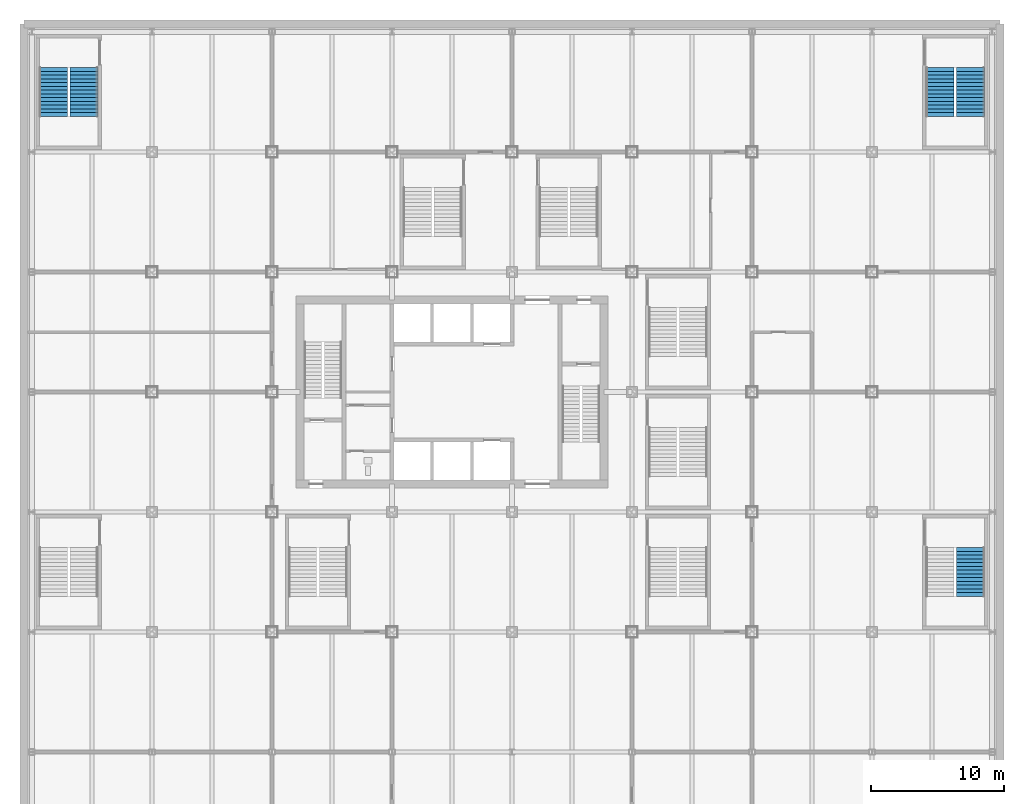
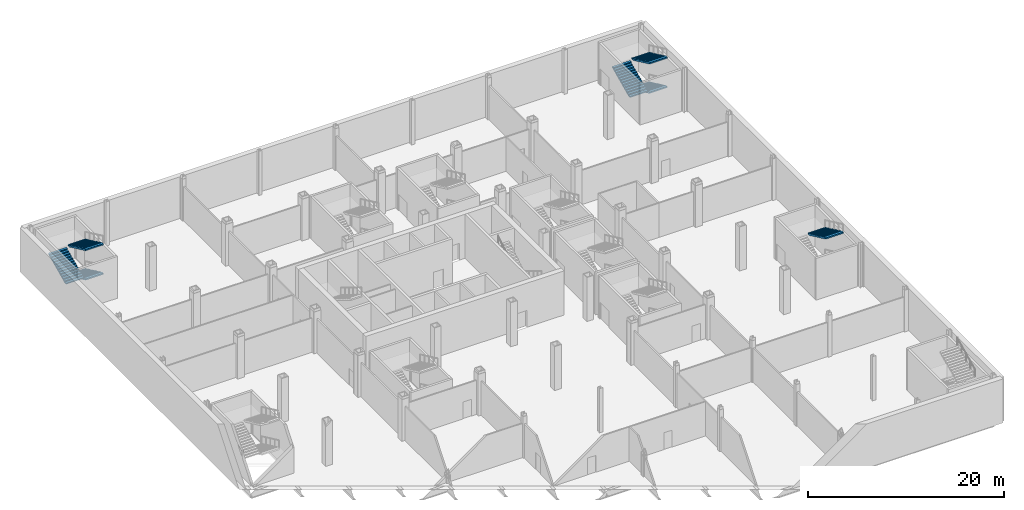
# One storey, part 14 of 27: 7 stair flights, 3 elements without a shape of their own.
"""IFC4 building model written with IfcOpenShell, lengths in metres."""

from ifc_helpers import new_model, si_unit, direction, frame, origin, place, context, subcontext, project, spatial, polyline, outline, extrude, material, type_object, element, aggregate, save


model = new_model("IFC4")

# Units and contexts
model_context = context("Model", 3, precision=1e-05, world=origin(), true_north=direction((0.0, 1.0)))
body_context = subcontext(model_context, "Body", "Model", "MODEL_VIEW")
ifc_project = project(units=[si_unit("LENGTHUNIT", "METRE"), si_unit("AREAUNIT", "SQUARE_METRE"), si_unit("VOLUMEUNIT", "CUBIC_METRE"), si_unit("PLANEANGLEUNIT", "RADIAN"), si_unit("MASSUNIT", "GRAM", prefix="KILO")], contexts=[model_context])

# Site, building, storey
site_placement = place(None, origin())
site = spatial("IfcSite", under=ifc_project, at=site_placement, CompositionType="ELEMENT")
building_placement = place(site_placement, origin())
building = spatial("IfcBuilding", under=site, at=building_placement, Name="Loomwork Tower", CompositionType="ELEMENT")
storey_placement = place(building_placement, frame((0.0, 0.0, -5.5)))
storey = spatial("IfcBuildingStorey", under=building, at=storey_placement, Name="B1", CompositionType="ELEMENT", Elevation=-5.5)

# Stair, stair flights
ifc_material_1 = material(Name="Concrete 5000 psi (34 MPa) precast stair", Category="concrete")
stair_type_1 = type_object("IfcStairType", Name="Stair ST-S3P 42 risers of 131 4400 wide", PredefinedType="HALF_TURN_STAIR", material=ifc_material_1)
stair_1_placement = place(storey_placement, origin())
stair_1 = element("IfcStair", 1, at=stair_1_placement, inside=storey, type_object=stair_type_1, Name="Podium stair PS3 B1", PredefinedType="HALF_TURN_STAIR")
ifc_material_2 = material(Name="Concrete 5000 psi (34 MPa) precast stair", Category="concrete")
stair_flight_type_1 = type_object("IfcStairFlightType", Name="Stair flight ST-S3P 14 risers of 131 2100 wide", PredefinedType="STRAIGHT", material=ifc_material_2)
stair_flight_1_placement = place(storey_placement, frame((-5.10009765625, 42.320068359375, 0.0), z_axis=(0.0, 0.0, 1.0), x_axis=(0.0, -1.0, 0.0)))
stair_flight_1 = element("IfcStairFlight", 2, at=stair_flight_1_placement, type_object=stair_flight_type_1, Name="ST-S3P flight 1", NumberOfRisers=14, NumberOfTreads=13, PredefinedType="STRAIGHT", RiserHeight=0.130952381, TreadLength=0.28, context=body_context, shape_type="SweptSolid", body=[
    extrude(outline(polyline([(0.0, 0.0), (0.0, 0.130859375), (0.280029296875, 0.130859375), (0.280029296875, 0.261962890625), (0.56005859375, 0.261962890625), (0.56005859375, 0.392822265625), (0.840087890625, 0.392822265625), (0.840087890625, 0.52392578125), (1.1201171875, 0.52392578125), (1.1201171875, 0.65478515625), (1.39990234375, 0.65478515625), (1.39990234375, 0.78564453125), (1.679931640625, 0.78564453125), (1.679931640625, 0.916748046875), (1.9599609375, 0.916748046875), (1.9599609375, 1.047607421875), (2.239990234375, 1.047607421875), (2.239990234375, 1.178466796875), (2.52001953125, 1.178466796875), (2.52001953125, 1.3095703125), (2.800048828125, 1.3095703125), (2.800048828125, 1.4404296875), (3.080078125, 1.4404296875), (3.080078125, 1.571533203125), (3.360107421875, 1.571533203125), (3.360107421875, 1.702392578125), (3.639892578125, 1.702392578125), (3.639892578125, 1.833251953125), (3.639892578125, 1.536865234375), (0.353759765625, 0.0), (0.0, 0.0)])), frame((0.0, 1.050048828125, 0.0), z_axis=(0.0, -1.0, 0.0), x_axis=(1.0, 0.0, 0.0)), (0.0, 0.0, 1.0), 2.10009765625),
])
stair_flight_2_placement = place(storey_placement, frame((-7.39990234375, 38.679931640625, 1.833251953125), z_axis=(0.0, 0.0, 1.0), x_axis=(0.0, 1.0, 0.0)))
stair_flight_2 = element("IfcStairFlight", 3, at=stair_flight_2_placement, type_object=stair_flight_type_1, Name="ST-S3P flight 2", NumberOfRisers=14, NumberOfTreads=13, PredefinedType="STRAIGHT", RiserHeight=0.130952381, TreadLength=0.28, context=body_context, shape_type="SweptSolid", body=[
    extrude(outline(polyline([(0.0, 0.0), (0.0, 0.130859375), (0.280029296875, 0.130859375), (0.280029296875, 0.261962890625), (0.56005859375, 0.261962890625), (0.56005859375, 0.392822265625), (0.840087890625, 0.392822265625), (0.840087890625, 0.52392578125), (1.1201171875, 0.52392578125), (1.1201171875, 0.65478515625), (1.39990234375, 0.65478515625), (1.39990234375, 0.78564453125), (1.679931640625, 0.78564453125), (1.679931640625, 0.916748046875), (1.9599609375, 0.916748046875), (1.9599609375, 1.047607421875), (2.239990234375, 1.047607421875), (2.239990234375, 1.178466796875), (2.52001953125, 1.178466796875), (2.52001953125, 1.3095703125), (2.800048828125, 1.3095703125), (2.800048828125, 1.4404296875), (3.080078125, 1.4404296875), (3.080078125, 1.571533203125), (3.360107421875, 1.571533203125), (3.360107421875, 1.702392578125), (3.639892578125, 1.702392578125), (3.639892578125, 1.833251953125), (3.639892578125, 1.536865234375), (0.353759765625, 0.0), (0.0, 0.0)])), frame((0.0, 1.050048828125, 0.0), z_axis=(0.0, -1.0, 0.0), x_axis=(1.0, 0.0, 0.0)), (0.0, 0.0, 1.0), 2.10009765625),
])
stair_flight_3_placement = place(storey_placement, frame((-5.10009765625, 42.320068359375, 3.666748046875), z_axis=(0.0, 0.0, 1.0), x_axis=(0.0, -1.0, 0.0)))
stair_flight_3 = element("IfcStairFlight", 4, at=stair_flight_3_placement, type_object=stair_flight_type_1, Name="ST-S3P flight 3", NumberOfRisers=14, NumberOfTreads=13, PredefinedType="STRAIGHT", RiserHeight=0.130952381, TreadLength=0.28, context=body_context, shape_type="SweptSolid", body=[
    extrude(outline(polyline([(0.0, 0.0), (0.0, 0.130859375), (0.280029296875, 0.130859375), (0.280029296875, 0.261962890625), (0.56005859375, 0.261962890625), (0.56005859375, 0.392822265625), (0.840087890625, 0.392822265625), (0.840087890625, 0.52392578125), (1.1201171875, 0.52392578125), (1.1201171875, 0.65478515625), (1.39990234375, 0.65478515625), (1.39990234375, 0.78564453125), (1.679931640625, 0.78564453125), (1.679931640625, 0.916748046875), (1.9599609375, 0.916748046875), (1.9599609375, 1.047607421875), (2.239990234375, 1.047607421875), (2.239990234375, 1.178466796875), (2.52001953125, 1.178466796875), (2.52001953125, 1.3095703125), (2.800048828125, 1.3095703125), (2.800048828125, 1.4404296875), (3.080078125, 1.4404296875), (3.080078125, 1.571533203125), (3.360107421875, 1.571533203125), (3.360107421875, 1.702392578125), (3.639892578125, 1.702392578125), (3.639892578125, 1.833251953125), (3.639892578125, 1.536865234375), (0.353759765625, 0.0), (0.0, 0.0)])), frame((0.0, 1.050048828125, 0.0), z_axis=(0.0, -1.0, 0.0), x_axis=(1.0, 0.0, 0.0)), (0.0, 0.0, 1.0), 2.10009765625),
])
aggregate(stair_1, [stair_flight_1, stair_flight_2, stair_flight_3])

ifc_material_3 = material(Name="Concrete 5000 psi (34 MPa) precast stair", Category="concrete")
stair_type_2 = type_object("IfcStairType", Name="Stair ST-S4P 42 risers of 131 4400 wide", PredefinedType="HALF_TURN_STAIR", material=ifc_material_3)
stair_2_placement = place(storey_placement, origin())
stair_2 = element("IfcStair", 5, at=stair_2_placement, inside=storey, type_object=stair_type_2, Name="Podium stair PS4 B1", PredefinedType="HALF_TURN_STAIR")
ifc_material_4 = material(Name="Concrete 5000 psi (34 MPa) precast stair", Category="concrete")
stair_flight_type_2 = type_object("IfcStairFlightType", Name="Stair flight ST-S4P 14 risers of 131 2100 wide", PredefinedType="STRAIGHT", material=ifc_material_4)
stair_flight_4_placement = place(storey_placement, frame((61.39990234375, 42.320068359375, 0.0), z_axis=(0.0, 0.0, 1.0), x_axis=(0.0, -1.0, 0.0)))
stair_flight_4 = element("IfcStairFlight", 6, at=stair_flight_4_placement, type_object=stair_flight_type_2, Name="ST-S4P flight 1", NumberOfRisers=14, NumberOfTreads=13, PredefinedType="STRAIGHT", RiserHeight=0.130952381, TreadLength=0.28, context=body_context, shape_type="SweptSolid", body=[
    extrude(outline(polyline([(0.0, 0.0), (0.0, 0.130859375), (0.280029296875, 0.130859375), (0.280029296875, 0.261962890625), (0.56005859375, 0.261962890625), (0.56005859375, 0.392822265625), (0.840087890625, 0.392822265625), (0.840087890625, 0.52392578125), (1.1201171875, 0.52392578125), (1.1201171875, 0.65478515625), (1.39990234375, 0.65478515625), (1.39990234375, 0.78564453125), (1.679931640625, 0.78564453125), (1.679931640625, 0.916748046875), (1.9599609375, 0.916748046875), (1.9599609375, 1.047607421875), (2.239990234375, 1.047607421875), (2.239990234375, 1.178466796875), (2.52001953125, 1.178466796875), (2.52001953125, 1.3095703125), (2.800048828125, 1.3095703125), (2.800048828125, 1.4404296875), (3.080078125, 1.4404296875), (3.080078125, 1.571533203125), (3.360107421875, 1.571533203125), (3.360107421875, 1.702392578125), (3.639892578125, 1.702392578125), (3.639892578125, 1.833251953125), (3.639892578125, 1.536865234375), (0.353759765625, 0.0), (0.0, 0.0)])), frame((0.0, 1.050048828125, 0.0), z_axis=(0.0, -1.0, 0.0), x_axis=(1.0, 0.0, 0.0)), (0.0, 0.0, 1.0), 2.10009765625),
])
stair_flight_5_placement = place(storey_placement, frame((59.10009765625, 38.679931640625, 1.833251953125), z_axis=(0.0, 0.0, 1.0), x_axis=(0.0, 1.0, 0.0)))
stair_flight_5 = element("IfcStairFlight", 7, at=stair_flight_5_placement, type_object=stair_flight_type_2, Name="ST-S4P flight 2", NumberOfRisers=14, NumberOfTreads=13, PredefinedType="STRAIGHT", RiserHeight=0.130952381, TreadLength=0.28, context=body_context, shape_type="SweptSolid", body=[
    extrude(outline(polyline([(0.0, 0.0), (0.0, 0.130859375), (0.280029296875, 0.130859375), (0.280029296875, 0.261962890625), (0.56005859375, 0.261962890625), (0.56005859375, 0.392822265625), (0.840087890625, 0.392822265625), (0.840087890625, 0.52392578125), (1.1201171875, 0.52392578125), (1.1201171875, 0.65478515625), (1.39990234375, 0.65478515625), (1.39990234375, 0.78564453125), (1.679931640625, 0.78564453125), (1.679931640625, 0.916748046875), (1.9599609375, 0.916748046875), (1.9599609375, 1.047607421875), (2.239990234375, 1.047607421875), (2.239990234375, 1.178466796875), (2.52001953125, 1.178466796875), (2.52001953125, 1.3095703125), (2.800048828125, 1.3095703125), (2.800048828125, 1.4404296875), (3.080078125, 1.4404296875), (3.080078125, 1.571533203125), (3.360107421875, 1.571533203125), (3.360107421875, 1.702392578125), (3.639892578125, 1.702392578125), (3.639892578125, 1.833251953125), (3.639892578125, 1.536865234375), (0.353759765625, 0.0), (0.0, 0.0)])), frame((0.0, 1.050048828125, 0.0), z_axis=(0.0, -1.0, 0.0), x_axis=(1.0, 0.0, 0.0)), (0.0, 0.0, 1.0), 2.10009765625),
])
stair_flight_6_placement = place(storey_placement, frame((61.39990234375, 42.320068359375, 3.666748046875), z_axis=(0.0, 0.0, 1.0), x_axis=(0.0, -1.0, 0.0)))
stair_flight_6 = element("IfcStairFlight", 8, at=stair_flight_6_placement, type_object=stair_flight_type_2, Name="ST-S4P flight 3", NumberOfRisers=14, NumberOfTreads=13, PredefinedType="STRAIGHT", RiserHeight=0.130952381, TreadLength=0.28, context=body_context, shape_type="SweptSolid", body=[
    extrude(outline(polyline([(0.0, 0.0), (0.0, 0.130859375), (0.280029296875, 0.130859375), (0.280029296875, 0.261962890625), (0.56005859375, 0.261962890625), (0.56005859375, 0.392822265625), (0.840087890625, 0.392822265625), (0.840087890625, 0.52392578125), (1.1201171875, 0.52392578125), (1.1201171875, 0.65478515625), (1.39990234375, 0.65478515625), (1.39990234375, 0.78564453125), (1.679931640625, 0.78564453125), (1.679931640625, 0.916748046875), (1.9599609375, 0.916748046875), (1.9599609375, 1.047607421875), (2.239990234375, 1.047607421875), (2.239990234375, 1.178466796875), (2.52001953125, 1.178466796875), (2.52001953125, 1.3095703125), (2.800048828125, 1.3095703125), (2.800048828125, 1.4404296875), (3.080078125, 1.4404296875), (3.080078125, 1.571533203125), (3.360107421875, 1.571533203125), (3.360107421875, 1.702392578125), (3.639892578125, 1.702392578125), (3.639892578125, 1.833251953125), (3.639892578125, 1.536865234375), (0.353759765625, 0.0), (0.0, 0.0)])), frame((0.0, 1.050048828125, 0.0), z_axis=(0.0, -1.0, 0.0), x_axis=(1.0, 0.0, 0.0)), (0.0, 0.0, 1.0), 2.10009765625),
])
aggregate(stair_2, [stair_flight_4, stair_flight_5, stair_flight_6])

# Stair, stair flight
ifc_material_5 = material(Name="Concrete 5000 psi (34 MPa) precast stair", Category="concrete")
stair_type_3 = type_object("IfcStairType", Name="Stair ST-S6P 42 risers of 131 4400 wide", PredefinedType="HALF_TURN_STAIR", material=ifc_material_5)
stair_3_placement = place(storey_placement, origin())
stair_3 = element("IfcStair", 9, at=stair_3_placement, inside=storey, type_object=stair_type_3, Name="Podium stair PS6 B1", PredefinedType="HALF_TURN_STAIR")
ifc_material_6 = material(Name="Concrete 5000 psi (34 MPa) precast stair", Category="concrete")
stair_flight_type_3 = type_object("IfcStairFlightType", Name="Stair flight ST-S6P 14 risers of 131 2100 wide", PredefinedType="STRAIGHT", material=ifc_material_6)
stair_flight_7_placement = place(storey_placement, frame((61.39990234375, 6.320068359375, 3.666748046875), z_axis=(0.0, 0.0, 1.0), x_axis=(0.0, -1.0, 0.0)))
stair_flight_7 = element("IfcStairFlight", 10, at=stair_flight_7_placement, type_object=stair_flight_type_3, Name="ST-S6P flight 3", NumberOfRisers=14, NumberOfTreads=13, PredefinedType="STRAIGHT", RiserHeight=0.130952381, TreadLength=0.28, context=body_context, shape_type="SweptSolid", body=[
    extrude(outline(polyline([(0.0, 0.0), (0.0, 0.130859375), (0.280029296875, 0.130859375), (0.280029296875, 0.261962890625), (0.56005859375, 0.261962890625), (0.56005859375, 0.392822265625), (0.840087890625, 0.392822265625), (0.840087890625, 0.52392578125), (1.1201171875, 0.52392578125), (1.1201171875, 0.65478515625), (1.39990234375, 0.65478515625), (1.39990234375, 0.78564453125), (1.679931640625, 0.78564453125), (1.679931640625, 0.916748046875), (1.9599609375, 0.916748046875), (1.9599609375, 1.047607421875), (2.239990234375, 1.047607421875), (2.239990234375, 1.178466796875), (2.52001953125, 1.178466796875), (2.52001953125, 1.3095703125), (2.800048828125, 1.3095703125), (2.800048828125, 1.4404296875), (3.080078125, 1.4404296875), (3.080078125, 1.571533203125), (3.360107421875, 1.571533203125), (3.360107421875, 1.702392578125), (3.639892578125, 1.702392578125), (3.639892578125, 1.833251953125), (3.639892578125, 1.536865234375), (0.353759765625, 0.0), (0.0, 0.0)])), frame((0.0, 1.050048828125, 0.0), z_axis=(0.0, -1.0, 0.0), x_axis=(1.0, 0.0, 0.0)), (0.0, 0.0, 1.0), 2.10009765625),
])
aggregate(stair_3, [stair_flight_7])

save(model, "model.ifc")
